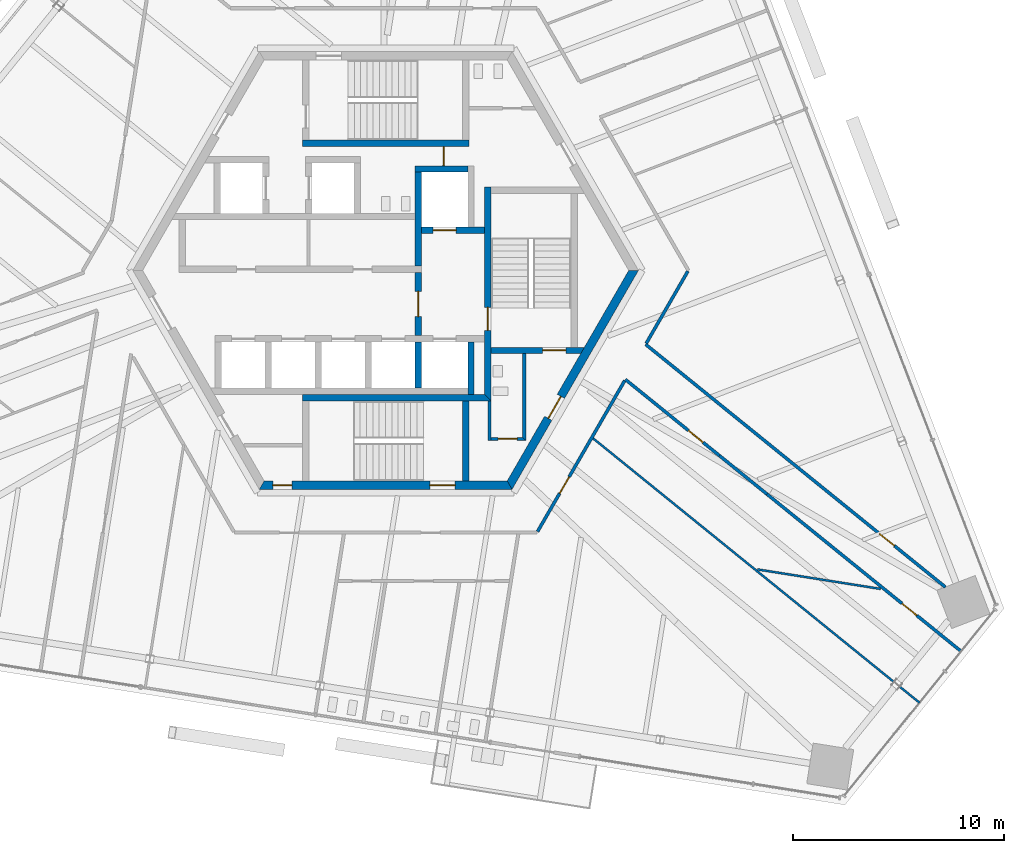
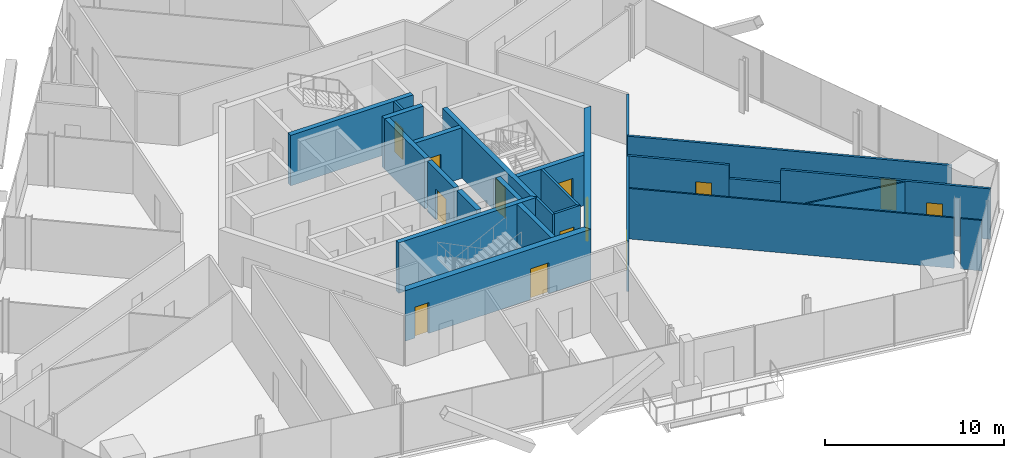
# One storey, part 12 of 18: 26 walls, 13 doors, 13 openings.
"""IFC4 building model written with IfcOpenShell, lengths in metres."""

from ifc_helpers import new_model, si_unit, direction, frame, frame_2d, origin, place, context, subcontext, project, spatial, polyline, rectangle, outline, extrude, source, transform, mapped, material, layer, layer_set, type_object, element, fill, save


model = new_model("IFC4")

# Units and contexts
model_context = context("Model", 3, precision=1e-05, world=origin(), true_north=direction((0.0, 1.0)))
body_context = subcontext(model_context, "Body", "Model", "MODEL_VIEW")
ifc_project = project(units=[si_unit("LENGTHUNIT", "METRE"), si_unit("AREAUNIT", "SQUARE_METRE"), si_unit("VOLUMEUNIT", "CUBIC_METRE"), si_unit("PLANEANGLEUNIT", "RADIAN"), si_unit("MASSUNIT", "GRAM", prefix="KILO")], contexts=[model_context])

# Site, building, storey
site_placement = place(None, origin())
site = spatial("IfcSite", under=ifc_project, at=site_placement, CompositionType="ELEMENT")
building_placement = place(site_placement, origin())
building = spatial("IfcBuilding", under=site, at=building_placement, Name="Triune Harvest Tower", CompositionType="ELEMENT")
storey_placement = place(building_placement, frame((0.0, 0.0, 156.89990234375)))
storey = spatial("IfcBuildingStorey", under=building, at=storey_placement, Name="L40", CompositionType="ELEMENT", Elevation=156.89990234375)

# Wall, opening, door
ifc_material_1 = material(Name="Gypsum board on steel studs", Category="steel")
ifc_layer_1 = layer(ifc_material_1, 0.14990234375)
ifc_layer_set_1 = layer_set([ifc_layer_1], Name="Gypsum board on steel studs")
wall_type_1 = type_object("IfcWallType", Name="Fire Partition 150 mm", PredefinedType="PARTITIONING", material=ifc_layer_set_1)
wall_1_placement = place(storey_placement, frame((11.37841796875, -5.1767578125, 0.0), z_axis=(0.0, 0.0, 1.0), x_axis=(0.777137017036, -0.62933143633, 0.0)))
wall_1 = element("IfcWall", 1, at=wall_1_placement, inside=storey, type_object=wall_type_1, Name="Partition L40 014", PredefinedType="PARTITIONING", context=body_context, shape_type="SweptSolid", body=[
    extrude(rectangle(XDim=5.74658203125, YDim=0.14990234375, at=frame_2d((2.873291015625, 0.0))), origin(), (0.0, 0.0, 1.0), 3.440185546875),
])
opening_1_placement = place(wall_1_placement, frame((3.85009765625, 0.0, 0.0)))
opening_1 = element("IfcOpeningElement", 2, at=opening_1_placement, cuts=wall_1, Name="Opening L40-001", PredefinedType="OPENING", context=body_context, shape_type="SweptSolid", body=[
    extrude(rectangle(XDim=0.89990234375, YDim=2.10009765625, at=frame_2d((0.449951171875, 1.050048828125))), frame((0.0, 0.0849609375, 0.0), z_axis=(0.0, -1.0, 0.0), x_axis=(1.0, 0.0, 0.0)), (0.0, 0.0, 1.0), 0.169921875),
])
ifc_material_2 = material(Name="Timber and steel door set", Category="steel")
door_type_1 = type_object("IfcDoorType", Name="Single leaf door FD30 right hand 900 x 2100", OperationType="SINGLE_SWING_RIGHT", PredefinedType="DOOR", material=ifc_material_2)
door_1_placement = place(opening_1_placement, origin())
door_1 = element("IfcDoor", 3, at=door_1_placement, inside=storey, type_object=door_type_1, Name="Door L40-001 Dry Store Room 40.01", OperationType="SINGLE_SWING_RIGHT", OverallHeight=2.10009765625, OverallWidth=0.89990234375, PredefinedType="DOOR", context=body_context, shape_type="SweptSolid", body=[
    extrude(rectangle(XDim=0.89990234375, YDim=2.10009765625, at=frame_2d((0.449951171875, 1.050048828125))), frame((0.0, 0.02490234375, 0.0), z_axis=(0.0, -1.0, 0.0), x_axis=(1.0, 0.0, 0.0)), (0.0, 0.0, 1.0), 0.050048828125),
])
fill(opening_1, door_1)

wall_2_placement = place(storey_placement, frame((18.10693359375, -10.62548828125, 0.0), z_axis=(0.0, 0.0, 1.0), x_axis=(0.777142669677, -0.629324456037, 0.0)))
wall_2 = element("IfcWall", 4, at=wall_2_placement, inside=storey, type_object=wall_type_1, Name="Partition L40 014b", PredefinedType="PARTITIONING", context=body_context, shape_type="SweptSolid", body=[
    extrude(rectangle(XDim=11.850341796875, YDim=0.14990234375, at=frame_2d((5.92529296875, 0.0))), origin(), (0.0, 0.0, 1.0), 3.440185546875),
])
opening_2_placement = place(wall_2_placement, frame((8.2421875, 0.0, 0.0)))
opening_2 = element("IfcOpeningElement", 5, at=opening_2_placement, cuts=wall_2, Name="Opening L40-027", PredefinedType="OPENING", context=body_context, shape_type="SweptSolid", body=[
    extrude(rectangle(XDim=0.89990234375, YDim=2.10009765625, at=frame_2d((0.449951171875, 1.050048828125))), frame((0.0, 0.0849609375, 0.0), z_axis=(0.0, -1.0, 0.0), x_axis=(1.0, 0.0, 0.0)), (0.0, 0.0, 1.0), 0.169921875),
])
ifc_material_3 = material(Name="Timber and steel door set", Category="steel")
door_type_2 = type_object("IfcDoorType", Name="Single leaf door FD30 left hand 900 x 2100", OperationType="SINGLE_SWING_LEFT", PredefinedType="DOOR", material=ifc_material_3)
door_2_placement = place(opening_2_placement, origin())
door_2 = element("IfcDoor", 6, at=door_2_placement, inside=storey, type_object=door_type_2, Name="Door L40-027 Open Office 40.27", OperationType="SINGLE_SWING_LEFT", OverallHeight=2.10009765625, OverallWidth=0.89990234375, PredefinedType="DOOR", context=body_context, shape_type="SweptSolid", body=[
    extrude(rectangle(XDim=0.89990234375, YDim=2.10009765625, at=frame_2d((0.449951171875, 1.050048828125))), frame((0.0, 0.02490234375, 0.0), z_axis=(0.0, -1.0, 0.0), x_axis=(1.0, 0.0, 0.0)), (0.0, 0.0, 1.0), 0.050048828125),
])
fill(opening_2, door_2)

wall_3_placement = place(storey_placement, frame((12.340087890625, -3.5107421875, 0.0), z_axis=(0.0, 0.0, 1.0), x_axis=(0.777147069828, -0.629319022323, 0.0)))
wall_3 = element("IfcWall", 7, at=wall_3_placement, inside=storey, type_object=wall_type_1, Name="Partition L40 017", PredefinedType="PARTITIONING", context=body_context, shape_type="SweptSolid", body=[
    extrude(rectangle(XDim=18.313720703125, YDim=0.14990234375, at=frame_2d((9.15673828125, 0.0))), origin(), (0.0, 0.0, 1.0), 3.440185546875),
])
opening_3_placement = place(wall_3_placement, frame((14.292236328125, 0.0, 0.0)))
opening_3 = element("IfcOpeningElement", 8, at=opening_3_placement, cuts=wall_3, Name="Opening L40-002", PredefinedType="OPENING", context=body_context, shape_type="SweptSolid", body=[
    extrude(rectangle(XDim=0.89990234375, YDim=2.10009765625, at=frame_2d((0.449951171875, 1.050048828125))), frame((0.0, 0.0849609375, 0.0), z_axis=(0.0, -1.0, 0.0), x_axis=(1.0, 0.0, 0.0)), (0.0, 0.0, 1.0), 0.169921875),
])
door_3_placement = place(opening_3_placement, origin())
door_3 = element("IfcDoor", 9, at=door_3_placement, inside=storey, type_object=door_type_1, Name="Door L40-002 Open Office 40.02", OperationType="SINGLE_SWING_RIGHT", OverallHeight=2.10009765625, OverallWidth=0.89990234375, PredefinedType="DOOR", context=body_context, shape_type="SweptSolid", body=[
    extrude(rectangle(XDim=0.89990234375, YDim=2.10009765625, at=frame_2d((0.449951171875, 1.050048828125))), frame((0.0, 0.02490234375, 0.0), z_axis=(0.0, -1.0, 0.0), x_axis=(1.0, 0.0, 0.0)), (0.0, 0.0, 1.0), 0.050048828125),
])
fill(opening_3, door_3)

wall_4_placement = place(storey_placement, frame((7.20849609375, -12.39892578125, 0.0), z_axis=(0.0, 0.0, 1.0), x_axis=(0.500000159503, 0.866025311695, 0.0)))
wall_4 = element("IfcWall", 10, at=wall_4_placement, inside=storey, type_object=wall_type_1, Name="Partition L40 039", PredefinedType="PARTITIONING", context=body_context, shape_type="SweptSolid", body=[
    extrude(rectangle(XDim=8.26953125, YDim=0.14990234375, at=frame_2d((4.134765625, 0.0))), origin(), (0.0, 0.0, 1.0), 3.440185546875),
])
opening_4_placement = place(wall_4_placement, frame((2.10009765625, 0.0, 0.0)))
opening_4 = element("IfcOpeningElement", 11, at=opening_4_placement, cuts=wall_4, Name="Opening L40-026", PredefinedType="OPENING", context=body_context, shape_type="SweptSolid", body=[
    extrude(rectangle(XDim=0.89990234375, YDim=2.10009765625, at=frame_2d((0.449951171875, 1.050048828125))), frame((0.0, 0.0849609375, 0.0), z_axis=(0.0, -1.0, 0.0), x_axis=(1.0, 0.0, 0.0)), (0.0, 0.0, 1.0), 0.169921875),
])
door_4_placement = place(opening_4_placement, origin())
door_4 = element("IfcDoor", 12, at=door_4_placement, inside=storey, type_object=door_type_1, Name="Door L40-026 Open Office 40.26", OperationType="SINGLE_SWING_RIGHT", OverallHeight=2.10009765625, OverallWidth=0.89990234375, PredefinedType="DOOR", context=body_context, shape_type="SweptSolid", body=[
    extrude(rectangle(XDim=0.89990234375, YDim=2.10009765625, at=frame_2d((0.449951171875, 1.050048828125))), frame((0.0, 0.02490234375, 0.0), z_axis=(0.0, -1.0, 0.0), x_axis=(1.0, 0.0, 0.0)), (0.0, 0.0, 1.0), 0.050048828125),
])
fill(opening_4, door_4)

# Walls
wall_5_placement = place(storey_placement, frame((12.364990234375, -3.467529296875, 0.0), z_axis=(0.0, 0.0, 1.0), x_axis=(0.500040549525, 0.866001991239, 0.0)))
element("IfcWall", 13, at=wall_5_placement, inside=storey, type_object=wall_type_1, Name="Partition L40 040", PredefinedType="PARTITIONING", context=body_context, shape_type="SweptSolid", body=[
    extrude(rectangle(XDim=3.964111328125, YDim=0.14990234375, at=frame_2d((1.98193359375, 0.0))), origin(), (0.0, 0.0, 1.0), 3.440185546875),
])
ifc_material_4 = material(Name="Gypsum board on steel studs", Category="steel")
ifc_layer_2 = layer(ifc_material_4, 0.10009765625)
ifc_layer_set_2 = layer_set([ifc_layer_2], Name="Gypsum board on steel studs")
wall_type_2 = type_object("IfcWallType", Name="Partition 100 mm", PredefinedType="PARTITIONING", material=ifc_layer_set_2)
wall_6_placement = place(storey_placement, frame((9.7900390625, -7.927734375, 0.0), z_axis=(0.0, 0.0, 1.0), x_axis=(0.777145306785, -0.629321199501, 0.0)))
element("IfcWall", 14, at=wall_6_placement, inside=storey, type_object=wall_type_2, Name="Partition L40 011", PredefinedType="PARTITIONING", context=body_context, shape_type="SweptSolid", body=[
    extrude(rectangle(XDim=18.4462890625, YDim=0.10009765625, at=frame_2d((9.22314453125, 0.0))), origin(), (0.0, 0.0, 1.0), 3.440185546875),
])
wall_7_placement = place(storey_placement, frame((17.64697265625, -14.193603515625, 0.0), z_axis=(0.0, 0.0, 1.0), x_axis=(0.987690356571, -0.15642173614, 0.0)))
element("IfcWall", 15, at=wall_7_placement, inside=storey, type_object=wall_type_2, Name="Partition L40 023", PredefinedType="PARTITIONING", context=body_context, shape_type="SweptSolid", body=[
    extrude(rectangle(XDim=5.9248046875, YDim=0.10009765625, at=frame_2d((2.96240234375, 0.0))), origin(), (0.0, 0.0, 1.0), 3.440185546875),
])

# Wall, openings, doors
ifc_material_5 = material(Name="Concrete 70 MPa", Category="concrete")
ifc_layer_3 = layer(ifc_material_5, 0.39990234375)
ifc_layer_set_3 = layer_set([ifc_layer_3], Name="Concrete 70 MPa")
wall_type_3 = type_object("IfcWallType", Name="Core wall 400", PredefinedType="SHEAR", material=ifc_layer_set_3)
shared_shape_1 = source(origin(), body_context, "Body", "SweptSolid", [
    extrude(outline(polyline([(-0.115478515625, -0.199951171875), (11.884521484375, -0.199951171875), (11.653564453125, 0.199951171875), (0.115478515625, 0.199951171875), (-0.115478515625, -0.199951171875)])), origin(), (0.0, 0.0, 1.0), 3.440185546875),
])
wall_8_placement = place(storey_placement, frame((-5.884521484375, -10.1923828125, 0.0), z_axis=(0.0, 0.0, 1.0), x_axis=(1.0, 0.0, 0.0)))
wall_8 = element("IfcWall", 16, at=wall_8_placement, inside=storey, type_object=wall_type_3, Name="Hexagon 4 wall", PredefinedType="SHEAR", context=body_context, shape_type="MappedRepresentation", body=[
    mapped(shared_shape_1, transform((0.0, 0.0, 0.0), scale=1.0)),
])
opening_5_placement = place(wall_8_placement, frame((7.984619140625, 0.0, 0.0)))
opening_5 = element("IfcOpeningElement", 17, at=opening_5_placement, cuts=wall_8, Name="Opening CD-S2P", PredefinedType="OPENING", context=body_context, shape_type="SweptSolid", body=[
    extrude(rectangle(XDim=1.199951171875, YDim=2.10009765625, at=frame_2d((0.60009765625, 1.050048828125))), frame((0.0, 0.2099609375, 0.0), z_axis=(0.0, -1.0, 0.0), x_axis=(1.0, 0.0, 0.0)), (0.0, 0.0, 1.0), 0.419921875),
])
opening_6_placement = place(wall_8_placement, frame((0.534423828125, 0.0, 0.0)))
opening_6 = element("IfcOpeningElement", 18, at=opening_6_placement, cuts=wall_8, Name="Opening CD-SWS", PredefinedType="OPENING", context=body_context, shape_type="SweptSolid", body=[
    extrude(rectangle(XDim=0.89990234375, YDim=2.10009765625, at=frame_2d((0.449951171875, 1.050048828125))), frame((0.0, 0.2099609375, 0.0), z_axis=(0.0, -1.0, 0.0), x_axis=(1.0, 0.0, 0.0)), (0.0, 0.0, 1.0), 0.419921875),
])
ifc_material_6 = material(Name="Steel S235", Category="steel")
door_type_3 = type_object("IfcDoorType", Name="Riser door 900 FD120", OperationType="SINGLE_SWING_LEFT", PredefinedType="DOOR", material=ifc_material_6)
door_5_placement = place(opening_6_placement, frame((0.89990234375, 0.0, 0.0), z_axis=(0.0, 0.0, 1.0), x_axis=(-1.0, 0.0, 0.0)))
door_5 = element("IfcDoor", 19, at=door_5_placement, inside=storey, type_object=door_type_3, Name="Door CD-SWS", OperationType="SINGLE_SWING_RIGHT", OverallHeight=2.10009765625, OverallWidth=0.89990234375, PredefinedType="DOOR", context=body_context, shape_type="SweptSolid", body=[
    extrude(rectangle(XDim=0.89990234375, YDim=2.10009765625, at=frame_2d((0.449951171875, 1.050048828125))), frame((0.0, 0.02490234375, 0.0), z_axis=(0.0, -1.0, 0.0), x_axis=(1.0, 0.0, 0.0)), (0.0, 0.0, 1.0), 0.050048828125),
])
fill(opening_6, door_5)
ifc_material_7 = material(Name="Steel S235", Category="steel")
door_type_4 = type_object("IfcDoorType", Name="Stair door 1200 FD120", OperationType="SINGLE_SWING_LEFT", PredefinedType="DOOR", material=ifc_material_7)
door_6_placement = place(opening_5_placement, frame((1.199951171875, 0.0, 0.0), z_axis=(0.0, 0.0, 1.0), x_axis=(-1.0, 0.0, 0.0)))
door_6 = element("IfcDoor", 20, at=door_6_placement, inside=storey, type_object=door_type_4, Name="Door CD-S2P", OperationType="SINGLE_SWING_RIGHT", OverallHeight=2.10009765625, OverallWidth=1.199951171875, PredefinedType="DOOR", context=body_context, shape_type="SweptSolid", body=[
    extrude(rectangle(XDim=1.199951171875, YDim=2.10009765625, at=frame_2d((0.60009765625, 1.050048828125))), frame((0.0, 0.02490234375, 0.0), z_axis=(0.0, -1.0, 0.0), x_axis=(1.0, 0.0, 0.0)), (0.0, 0.0, 1.0), 0.050048828125),
])
fill(opening_5, door_6)

# Wall, opening, door
wall_9_placement = place(storey_placement, frame((5.884521484375, -10.1923828125, 0.0), z_axis=(0.0, 0.0, 1.0), x_axis=(0.499996592174, 0.866027371285, 0.0)))
wall_9 = element("IfcWall", 21, at=wall_9_placement, inside=storey, type_object=wall_type_3, Name="Hexagon 5 wall", PredefinedType="SHEAR", context=body_context, shape_type="MappedRepresentation", body=[
    mapped(shared_shape_1, transform((0.0, 0.0, 0.0), scale=1.0)),
])
opening_7_placement = place(wall_9_placement, frame((3.66455078125, 0.0, 0.0)))
opening_7 = element("IfcOpeningElement", 22, at=opening_7_placement, cuts=wall_9, Name="Opening CD-DP", PredefinedType="OPENING", context=body_context, shape_type="SweptSolid", body=[
    extrude(rectangle(XDim=1.199951171875, YDim=2.10009765625, at=frame_2d((0.60009765625, 1.050048828125))), frame((0.0, 0.2099609375, 0.0), z_axis=(0.0, -1.0, 0.0), x_axis=(1.0, 0.0, 0.0)), (0.0, 0.0, 1.0), 0.419921875),
])
door_7_placement = place(opening_7_placement, frame((1.199951171875, 0.0, 0.0), z_axis=(0.0, 0.0, 1.0), x_axis=(-1.0, 0.0, 0.0)))
door_7 = element("IfcDoor", 23, at=door_7_placement, inside=storey, type_object=door_type_4, Name="Door CD-DP", OperationType="SINGLE_SWING_RIGHT", OverallHeight=2.10009765625, OverallWidth=1.199951171875, PredefinedType="DOOR", context=body_context, shape_type="SweptSolid", body=[
    extrude(rectangle(XDim=1.199951171875, YDim=2.10009765625, at=frame_2d((0.60009765625, 1.050048828125))), frame((0.0, 0.02490234375, 0.0), z_axis=(0.0, -1.0, 0.0), x_axis=(1.0, 0.0, 0.0)), (0.0, 0.0, 1.0), 0.050048828125),
])
fill(opening_7, door_7)

# Walls
ifc_material_8 = material(Name="Concrete 70 MPa", Category="concrete")
ifc_layer_4 = layer(ifc_material_8, 0.300048828125)
ifc_layer_set_4 = layer_set([ifc_layer_4], Name="Concrete 70 MPa")
wall_type_4 = type_object("IfcWallType", Name="Core wall 300", PredefinedType="SHEAR", material=ifc_layer_set_4)
shared_shape_2 = source(origin(), body_context, "Body", "SweptSolid", [
    extrude(rectangle(XDim=2.5, YDim=0.300048828125, at=frame_2d((1.25, 0.0))), origin(), (0.0, 0.0, 1.0), 3.440185546875),
])
for number, where, z_axis, x_axis, name in (
    (24, (1.39990234375, 4.81005859375, 0.0), (0.0, 0.0, 1.0), (1.0, 0.0, 0.0), "Ff1 back wall"),
    (25, (4.050048828125, -5.889892578125, 0.0), (0.0, 0.0, 1.0), (0.0, 1.0, 0.0), "Ff2 east wall"),
):
    element("IfcWall", number, at=place(storey_placement, frame(where, z_axis=z_axis, x_axis=x_axis)), inside=storey, type_object=wall_type_4, Name=name, PredefinedType="SHEAR", context=body_context, shape_type="MappedRepresentation", body=[
        mapped(shared_shape_2, transform((0.0, 0.0, 0.0), scale=1.0)),
    ])
shared_shape_3 = source(origin(), body_context, "Body", "SweptSolid", [
    extrude(rectangle(XDim=4.449951171875, YDim=0.300048828125, at=frame_2d((2.22509765625, 0.0))), origin(), (0.0, 0.0, 1.0), 3.440185546875),
])
wall_10_placement = place(storey_placement, frame((1.550048828125, 0.2099609375, 0.0), z_axis=(0.0, 0.0, 1.0), x_axis=(0.0, 1.0, 0.0)))
element("IfcWall", 26, at=wall_10_placement, inside=storey, type_object=wall_type_4, Name="Ff1 west wall", PredefinedType="SHEAR", context=body_context, shape_type="MappedRepresentation", body=[
    mapped(shared_shape_3, transform((0.0, 0.0, 0.0), scale=1.0)),
])

# Wall, opening, door
shared_shape_4 = source(origin(), body_context, "Body", "SweptSolid", [
    extrude(rectangle(XDim=3.0, YDim=0.300048828125, at=frame_2d((1.5, 0.0))), origin(), (0.0, 0.0, 1.0), 3.440185546875),
])
wall_11_placement = place(storey_placement, frame((1.699951171875, 1.909912109375, 0.0), z_axis=(0.0, 0.0, 1.0), x_axis=(1.0, 0.0, 0.0)))
wall_11 = element("IfcWall", 27, at=wall_11_placement, inside=storey, type_object=wall_type_4, Name="Ff1 front wall", PredefinedType="SHEAR", context=body_context, shape_type="MappedRepresentation", body=[
    mapped(shared_shape_4, transform((0.0, 0.0, 0.0), scale=1.0)),
])
opening_8_placement = place(wall_11_placement, frame((0.550048828125, 0.0, 0.0)))
opening_8 = element("IfcOpeningElement", 28, at=opening_8_placement, cuts=wall_11, Name="Opening LD-FF1-40", PredefinedType="OPENING", context=body_context, shape_type="SweptSolid", body=[
    extrude(rectangle(XDim=1.10009765625, YDim=2.10009765625, at=frame_2d((0.550048828125, 1.050048828125))), frame((0.0, 0.16015625, 0.0), z_axis=(0.0, -1.0, 0.0), x_axis=(1.0, 0.0, 0.0)), (0.0, 0.0, 1.0), 0.320068359375),
])
ifc_material_9 = material(Name="Stainless steel AISI 304", Category="steel")
door_type_5 = type_object("IfcDoorType", Name="Landing door 1100 x 2100", OperationType="DOUBLE_DOOR_SLIDING", PredefinedType="DOOR", material=ifc_material_9)
door_8_placement = place(opening_8_placement, origin())
door_8 = element("IfcDoor", 29, at=door_8_placement, inside=storey, type_object=door_type_5, Name="Door LD-FF1-40", OperationType="DOUBLE_DOOR_SLIDING", OverallHeight=2.10009765625, OverallWidth=1.10009765625, PredefinedType="DOOR", context=body_context, shape_type="SweptSolid", body=[
    extrude(rectangle(XDim=1.10009765625, YDim=2.10009765625, at=frame_2d((0.550048828125, 1.050048828125))), frame((0.0, 0.02490234375, 0.0), z_axis=(0.0, -1.0, 0.0), x_axis=(1.0, 0.0, 0.0)), (0.0, 0.0, 1.0), 0.050048828125),
])
fill(opening_8, door_8)

wall_12_placement = place(storey_placement, frame((1.550048828125, -3.090087890625, 0.0), z_axis=(0.0, 0.0, 1.0), x_axis=(0.0, 1.0, 0.0)))
wall_12 = element("IfcWall", 30, at=wall_12_placement, inside=storey, type_object=wall_type_4, Name="Ff lobby west wall", PredefinedType="SHEAR", context=body_context, shape_type="MappedRepresentation", body=[
    mapped(shared_shape_4, transform((0.0, 0.0, 0.0), scale=1.0)),
])
opening_9_placement = place(wall_12_placement, frame((0.89990234375, 0.0, 0.0)))
opening_9 = element("IfcOpeningElement", 31, at=opening_9_placement, cuts=wall_12, Name="Opening CD-FL", PredefinedType="OPENING", context=body_context, shape_type="SweptSolid", body=[
    extrude(rectangle(XDim=1.199951171875, YDim=2.10009765625, at=frame_2d((0.60009765625, 1.050048828125))), frame((0.0, 0.16015625, 0.0), z_axis=(0.0, -1.0, 0.0), x_axis=(1.0, 0.0, 0.0)), (0.0, 0.0, 1.0), 0.320068359375),
])
ifc_material_10 = material(Name="Steel S235", Category="steel")
door_type_6 = type_object("IfcDoorType", Name="Firefighters' lobby door 1200 FD120", OperationType="SINGLE_SWING_LEFT", PredefinedType="DOOR", material=ifc_material_10)
door_9_placement = place(opening_9_placement, frame((1.199951171875, 0.0, 0.0), z_axis=(0.0, 0.0, 1.0), x_axis=(-1.0, 0.0, 0.0)))
door_9 = element("IfcDoor", 32, at=door_9_placement, inside=storey, type_object=door_type_6, Name="Door CD-FL", OperationType="SINGLE_SWING_RIGHT", OverallHeight=2.10009765625, OverallWidth=1.199951171875, PredefinedType="DOOR", context=body_context, shape_type="SweptSolid", body=[
    extrude(rectangle(XDim=1.199951171875, YDim=2.10009765625, at=frame_2d((0.60009765625, 1.050048828125))), frame((0.0, 0.02490234375, 0.0), z_axis=(0.0, -1.0, 0.0), x_axis=(1.0, 0.0, 0.0)), (0.0, 0.0, 1.0), 0.050048828125),
])
fill(opening_9, door_9)

# Wall
shared_shape_5 = source(origin(), body_context, "Body", "SweptSolid", [
    extrude(rectangle(XDim=2.2001953125, YDim=0.300048828125, at=frame_2d((1.10009765625, 0.0))), origin(), (0.0, 0.0, 1.0), 3.440185546875),
])
wall_13_placement = place(storey_placement, frame((1.550048828125, -5.590087890625, 0.0), z_axis=(0.0, 0.0, 1.0), x_axis=(0.0, 1.0, 0.0)))
element("IfcWall", 33, at=wall_13_placement, inside=storey, type_object=wall_type_4, Name="Ff2 west wall", PredefinedType="SHEAR", context=body_context, shape_type="MappedRepresentation", body=[
    mapped(shared_shape_5, transform((0.0, 0.0, 0.0), scale=1.0)),
])

# Wall, opening, door
shared_shape_6 = source(origin(), body_context, "Body", "SweptSolid", [
    extrude(outline(polyline([(-0.14990234375, -0.14990234375), (9.989990234375, -0.14990234375), (9.989990234375, 0.14990234375), (0.14990234375, 0.14990234375), (-0.14990234375, -0.14990234375)])), origin(), (0.0, 0.0, 1.0), 3.440185546875),
])
wall_14_placement = place(storey_placement, frame((4.85009765625, -6.0400390625, 0.0), z_axis=(0.0, 0.0, 1.0), x_axis=(0.0, 1.0, 0.0)))
wall_14 = element("IfcWall", 34, at=wall_14_placement, inside=storey, type_object=wall_type_4, Name="Stair e west wall", PredefinedType="SHEAR", context=body_context, shape_type="MappedRepresentation", body=[
    mapped(shared_shape_6, transform((0.0, 0.0, 0.0), scale=1.0)),
])
opening_10_placement = place(wall_14_placement, frame((3.18994140625, 0.0, 0.0)))
opening_10 = element("IfcOpeningElement", 35, at=opening_10_placement, cuts=wall_14, Name="Opening CD-S3L", PredefinedType="OPENING", context=body_context, shape_type="SweptSolid", body=[
    extrude(rectangle(XDim=1.10009765625, YDim=2.10009765625, at=frame_2d((0.550048828125, 1.050048828125))), frame((0.0, 0.16015625, 0.0), z_axis=(0.0, -1.0, 0.0), x_axis=(1.0, 0.0, 0.0)), (0.0, 0.0, 1.0), 0.320068359375),
])
ifc_material_11 = material(Name="Steel S235", Category="steel")
door_type_7 = type_object("IfcDoorType", Name="Stair door 1100 FD120", OperationType="SINGLE_SWING_LEFT", PredefinedType="DOOR", material=ifc_material_11)
door_10_placement = place(opening_10_placement, frame((1.10009765625, 0.0, 0.0), z_axis=(0.0, 0.0, 1.0), x_axis=(-1.0, 0.0, 0.0)))
door_10 = element("IfcDoor", 36, at=door_10_placement, inside=storey, type_object=door_type_7, Name="Door CD-S3L", OperationType="SINGLE_SWING_RIGHT", OverallHeight=2.10009765625, OverallWidth=1.10009765625, PredefinedType="DOOR", context=body_context, shape_type="SweptSolid", body=[
    extrude(rectangle(XDim=1.10009765625, YDim=2.10009765625, at=frame_2d((0.550048828125, 1.050048828125))), frame((0.0, 0.02490234375, 0.0), z_axis=(0.0, -1.0, 0.0), x_axis=(1.0, 0.0, 0.0)), (0.0, 0.0, 1.0), 0.050048828125),
])
fill(opening_10, door_10)

shared_shape_7 = source(origin(), body_context, "Body", "SweptSolid", [
    extrude(outline(polyline([(0.0, -0.14990234375), (0.0, 0.14990234375), (4.43310546875, 0.14990234375), (4.260009765625, -0.14990234375), (0.0, -0.14990234375)])), origin(), (0.0, 0.0, 1.0), 3.440185546875),
])
wall_15_placement = place(storey_placement, frame((5.0, -3.800048828125, 0.0), z_axis=(0.0, 0.0, 1.0), x_axis=(1.0, 0.0, 0.0)))
wall_15 = element("IfcWall", 37, at=wall_15_placement, inside=storey, type_object=wall_type_4, Name="Stair e south wall", PredefinedType="SHEAR", context=body_context, shape_type="MappedRepresentation", body=[
    mapped(shared_shape_7, transform((0.0, 0.0, 0.0), scale=1.0)),
])
opening_11_placement = place(wall_15_placement, frame((2.449951171875, 0.0, 0.0)))
opening_11 = element("IfcOpeningElement", 38, at=opening_11_placement, cuts=wall_15, Name="Opening CD-S3D", PredefinedType="OPENING", context=body_context, shape_type="SweptSolid", body=[
    extrude(rectangle(XDim=1.10009765625, YDim=2.10009765625, at=frame_2d((0.550048828125, 1.050048828125))), frame((0.0, 0.16015625, 0.0), z_axis=(0.0, -1.0, 0.0), x_axis=(1.0, 0.0, 0.0)), (0.0, 0.0, 1.0), 0.320068359375),
])
door_11_placement = place(opening_11_placement, frame((1.10009765625, 0.0, 0.0), z_axis=(0.0, 0.0, 1.0), x_axis=(-1.0, 0.0, 0.0)))
door_11 = element("IfcDoor", 39, at=door_11_placement, inside=storey, type_object=door_type_7, Name="Door CD-S3D", OperationType="SINGLE_SWING_RIGHT", OverallHeight=2.10009765625, OverallWidth=1.10009765625, PredefinedType="DOOR", context=body_context, shape_type="SweptSolid", body=[
    extrude(rectangle(XDim=1.10009765625, YDim=2.10009765625, at=frame_2d((0.550048828125, 1.050048828125))), frame((0.0, 0.02490234375, 0.0), z_axis=(0.0, -1.0, 0.0), x_axis=(1.0, 0.0, 0.0)), (0.0, 0.0, 1.0), 0.050048828125),
])
fill(opening_11, door_11)

# Walls
shared_shape_8 = source(origin(), body_context, "Body", "SweptSolid", [
    extrude(rectangle(XDim=7.89990234375, YDim=0.300048828125, at=frame_2d((3.949951171875, 0.0))), origin(), (0.0, 0.0, 1.0), 3.440185546875),
])
wall_16_placement = place(storey_placement, frame((-3.949951171875, 6.0400390625, 0.0), z_axis=(0.0, 0.0, 1.0), x_axis=(1.0, 0.0, 0.0)))
element("IfcWall", 40, at=wall_16_placement, inside=storey, type_object=wall_type_4, Name="Stair n south wall", PredefinedType="SHEAR", context=body_context, shape_type="MappedRepresentation", body=[
    mapped(shared_shape_8, transform((0.0, 0.0, 0.0), scale=1.0)),
])
shared_shape_9 = source(origin(), body_context, "Body", "SweptSolid", [
    extrude(outline(polyline([(0.0, -0.14990234375), (8.949951171875, -0.14990234375), (8.64990234375, 0.14990234375), (0.0, 0.14990234375), (0.0, -0.14990234375)])), origin(), (0.0, 0.0, 1.0), 3.440185546875),
])
wall_17_placement = place(storey_placement, frame((-3.949951171875, -6.0400390625, 0.0), z_axis=(0.0, 0.0, 1.0), x_axis=(1.0, 0.0, 0.0)))
element("IfcWall", 41, at=wall_17_placement, inside=storey, type_object=wall_type_4, Name="Stair s north wall", PredefinedType="SHEAR", context=body_context, shape_type="MappedRepresentation", body=[
    mapped(shared_shape_9, transform((0.0, 0.0, 0.0), scale=1.0)),
])
shared_shape_10 = source(origin(), body_context, "Body", "SweptSolid", [
    extrude(outline(polyline([(3.800048828125, -0.14990234375), (-0.00439453125, -0.14990234375), (-0.00439453125, 0.14990234375), (3.800048828125, 0.14990234375), (3.800048828125, -0.14990234375)])), origin(), (0.0, 0.0, 1.0), 3.440185546875),
])
wall_18_placement = place(storey_placement, frame((3.800048828125, -9.989990234375, 0.0), z_axis=(0.0, 0.0, 1.0), x_axis=(0.0, 1.0, 0.0)))
element("IfcWall", 42, at=wall_18_placement, inside=storey, type_object=wall_type_4, Name="Stair s east wall", PredefinedType="SHEAR", context=body_context, shape_type="MappedRepresentation", body=[
    mapped(shared_shape_10, transform((0.0, 0.0, 0.0), scale=1.0)),
])

# Wall, opening, door
ifc_material_12 = material(Name="Concrete masonry unit", Category="masonry")
ifc_layer_5 = layer(ifc_material_12, 0.14990234375)
ifc_layer_set_5 = layer_set([ifc_layer_5], Name="Concrete masonry unit")
wall_type_5 = type_object("IfcWallType", Name="Block partition 150 unrated", PredefinedType="PARTITIONING", material=ifc_layer_set_5)
shared_shape_11 = source(origin(), body_context, "Body", "SweptSolid", [
    extrude(outline(polyline([(0.0, -0.074951171875), (1.64990234375, -0.074951171875), (1.5, 0.074951171875), (0.0, 0.074951171875), (0.0, -0.074951171875)])), origin(), (0.0, 0.0, 1.0), 3.440185546875),
])
wall_19_placement = place(storey_placement, frame((5.0, -8.0, 0.0), z_axis=(0.0, 0.0, 1.0), x_axis=(1.0, 0.0, 0.0)))
wall_19 = element("IfcWall", 43, at=wall_19_placement, inside=storey, type_object=wall_type_5, Name="Wc acc south wall", PredefinedType="PARTITIONING", context=body_context, shape_type="MappedRepresentation", body=[
    mapped(shared_shape_11, transform((0.0, 0.0, 0.0), scale=1.0)),
])
opening_12_placement = place(wall_19_placement, frame((0.33740234375, 0.0, 0.0)))
opening_12 = element("IfcOpeningElement", 44, at=opening_12_placement, cuts=wall_19, Name="Opening CD-WA", PredefinedType="OPENING", context=body_context, shape_type="SweptSolid", body=[
    extrude(rectangle(XDim=0.89990234375, YDim=2.10009765625, at=frame_2d((0.449951171875, 1.050048828125))), frame((0.0, 0.0849609375, 0.0), z_axis=(0.0, -1.0, 0.0), x_axis=(1.0, 0.0, 0.0)), (0.0, 0.0, 1.0), 0.169921875),
])
ifc_material_13 = material(Name="Timber C24", Category="wood")
door_type_8 = type_object("IfcDoorType", Name="WC door 900", OperationType="SINGLE_SWING_LEFT", PredefinedType="DOOR", material=ifc_material_13)
door_12_placement = place(opening_12_placement, origin())
door_12 = element("IfcDoor", 45, at=door_12_placement, inside=storey, type_object=door_type_8, Name="Door CD-WA", OperationType="SINGLE_SWING_LEFT", OverallHeight=2.10009765625, OverallWidth=0.89990234375, PredefinedType="DOOR", context=body_context, shape_type="SweptSolid", body=[
    extrude(rectangle(XDim=0.89990234375, YDim=2.10009765625, at=frame_2d((0.449951171875, 1.050048828125))), frame((0.0, 0.02490234375, 0.0), z_axis=(0.0, -1.0, 0.0), x_axis=(1.0, 0.0, 0.0)), (0.0, 0.0, 1.0), 0.050048828125),
])
fill(opening_12, door_12)

# Walls
shared_shape_12 = source(origin(), body_context, "Body", "SweptSolid", [
    extrude(outline(polyline([(-0.074951171875, -0.074951171875), (4.050048828125, -0.074951171875), (4.050048828125, 0.074951171875), (0.074951171875, 0.074951171875), (-0.074951171875, -0.074951171875)])), origin(), (0.0, 0.0, 1.0), 3.440185546875),
])
wall_20_placement = place(storey_placement, frame((6.574951171875, -8.0, 0.0), z_axis=(0.0, 0.0, 1.0), x_axis=(0.0, 1.0, 0.0)))
element("IfcWall", 46, at=wall_20_placement, inside=storey, type_object=wall_type_5, Name="Wc acc east wall", PredefinedType="PARTITIONING", context=body_context, shape_type="MappedRepresentation", body=[
    mapped(shared_shape_12, transform((0.0, 0.0, 0.0), scale=1.0)),
])
shared_shape_13 = source(origin(), body_context, "Body", "SweptSolid", [
    extrude(rectangle(XDim=1.885009765625, YDim=0.14990234375, at=frame_2d((0.9423828125, 0.0))), origin(), (0.0, 0.0, 1.0), 3.440185546875),
])
wall_21_placement = place(storey_placement, frame((4.925048828125, -8.074951171875, 0.0), z_axis=(0.0, 0.0, 1.0), x_axis=(0.0, 1.0, 0.0)))
element("IfcWall", 47, at=wall_21_placement, inside=storey, type_object=wall_type_5, Name="Wc acc west wall", PredefinedType="PARTITIONING", context=body_context, shape_type="MappedRepresentation", body=[
    mapped(shared_shape_13, transform((0.0, 0.0, 0.0), scale=1.0)),
])

# Wall, opening, door
shared_shape_14 = source(origin(), body_context, "Body", "SweptSolid", [
    extrude(rectangle(XDim=0.929931640625, YDim=0.14990234375, at=frame_2d((0.46484375, 0.0))), origin(), (0.0, 0.0, 1.0), 3.440185546875),
])
wall_22_placement = place(storey_placement, frame((2.75, 4.9599609375, 0.0), z_axis=(0.0, 0.0, 1.0), x_axis=(0.0, 1.0, 0.0)))
wall_22 = element("IfcWall", 48, at=wall_22_placement, inside=storey, type_object=wall_type_5, Name="Wc men east b wall", PredefinedType="PARTITIONING", context=body_context, shape_type="MappedRepresentation", body=[
    mapped(shared_shape_14, transform((0.0, 0.0, 0.0), scale=1.0)),
])
opening_13_placement = place(wall_22_placement, frame((0.014892578125, 0.0, 0.0)))
opening_13 = element("IfcOpeningElement", 49, at=opening_13_placement, cuts=wall_22, Name="Opening CD-WM", PredefinedType="OPENING", context=body_context, shape_type="SweptSolid", body=[
    extrude(rectangle(XDim=0.89990234375, YDim=2.10009765625, at=frame_2d((0.449951171875, 1.050048828125))), frame((0.0, 0.0849609375, 0.0), z_axis=(0.0, -1.0, 0.0), x_axis=(1.0, 0.0, 0.0)), (0.0, 0.0, 1.0), 0.169921875),
])
door_13_placement = place(opening_13_placement, origin())
door_13 = element("IfcDoor", 50, at=door_13_placement, inside=storey, type_object=door_type_8, Name="Door CD-WM", OperationType="SINGLE_SWING_LEFT", OverallHeight=2.10009765625, OverallWidth=0.89990234375, PredefinedType="DOOR", context=body_context, shape_type="SweptSolid", body=[
    extrude(rectangle(XDim=0.89990234375, YDim=2.10009765625, at=frame_2d((0.449951171875, 1.050048828125))), frame((0.0, 0.02490234375, 0.0), z_axis=(0.0, -1.0, 0.0), x_axis=(1.0, 0.0, 0.0)), (0.0, 0.0, 1.0), 0.050048828125),
])
fill(opening_13, door_13)

# Walls
shared_shape_15 = source(origin(), body_context, "Body", "SweptSolid", [
    extrude(rectangle(XDim=2.91162109375, YDim=0.14990234375, at=frame_2d((1.455810546875, 0.0))), origin(), (0.0, 0.0, 1.0), 2.51806640625),
])
wall_23_placement = place(storey_placement, frame((15.84423828125, -8.793212890625, 0.0), z_axis=(0.0, 0.0, 1.0), x_axis=(0.777149177459, -0.629316419597, 0.0)))
element("IfcWall", 51, at=wall_23_placement, inside=storey, type_object=wall_type_1, Name="Partition L40 014a", PredefinedType="PARTITIONING", context=body_context, shape_type="MappedRepresentation", body=[
    mapped(shared_shape_15, transform((0.0, 0.0, 0.0), scale=1.0)),
])
shared_shape_16 = source(origin(), body_context, "Body", "SweptSolid", [
    extrude(rectangle(XDim=1.212158203125, YDim=0.10009765625, at=frame_2d((0.60595703125, 0.0))), origin(), (0.0, 0.0, 1.0), 3.440185546875),
])
wall_24_placement = place(storey_placement, frame((24.39990234375, -19.7587890625, 0.0), z_axis=(0.0, 0.0, 1.0), x_axis=(0.777240180322, -0.629204022629, 0.0)))
element("IfcWall", 52, at=wall_24_placement, inside=storey, type_object=wall_type_2, Name="Partition L40 012", PredefinedType="PARTITIONING", context=body_context, shape_type="MappedRepresentation", body=[
    mapped(shared_shape_16, transform((0.0, 0.0, 0.0), scale=1.0)),
])

save(model, "model.ifc")
